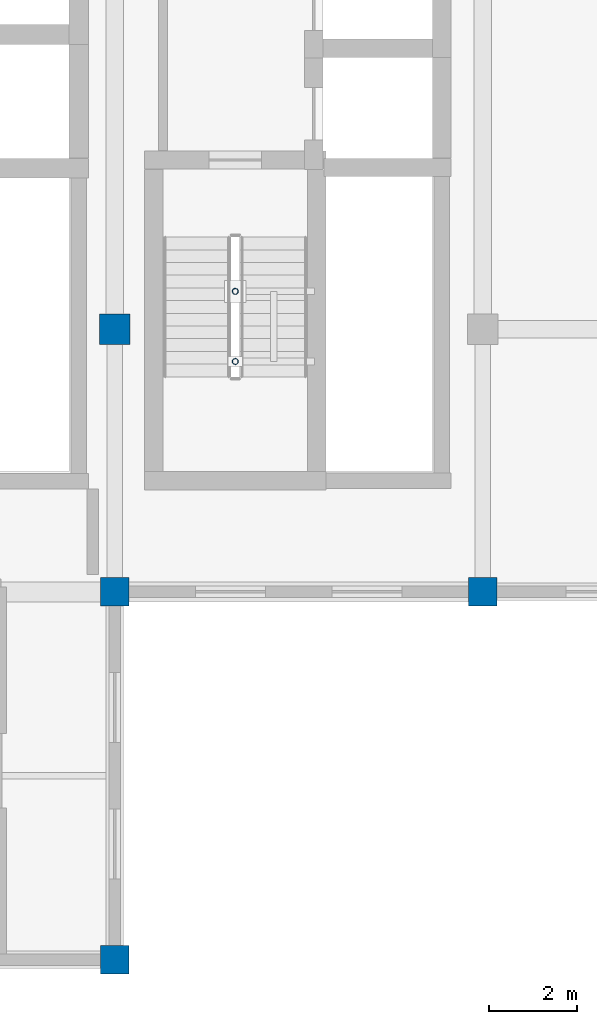
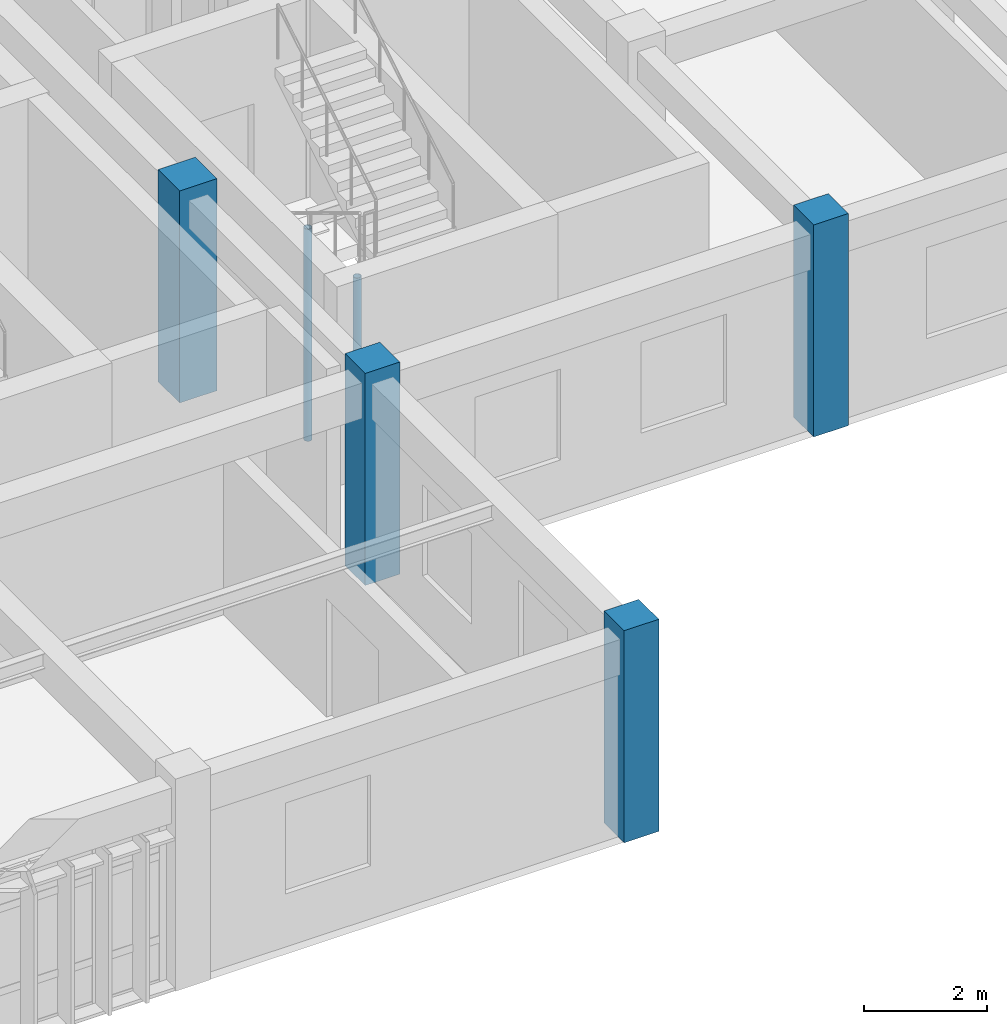
# One storey, part 2 of 23: 6 columns.
"""IFC4 building model written with IfcOpenShell, lengths in metres."""

from ifc_helpers import new_model, si_unit, direction, frame, origin, origin_2d, place, context, subcontext, project, spatial, rectangle, hollow_circle, extrude, material, material_profile, profile_set, type_object, element, save


model = new_model("IFC4")

# Units and contexts
model_context = context("Model", 3, precision=1e-05, world=origin(), true_north=direction((0.0, 1.0)))
body_context = subcontext(model_context, "Body", "Model", "MODEL_VIEW")
ifc_project = project(units=[si_unit("LENGTHUNIT", "METRE"), si_unit("AREAUNIT", "SQUARE_METRE"), si_unit("VOLUMEUNIT", "CUBIC_METRE"), si_unit("PLANEANGLEUNIT", "RADIAN"), si_unit("MASSUNIT", "GRAM", prefix="KILO")], contexts=[model_context])

# Site, building, storey
site_placement = place(None, origin())
site = spatial("IfcSite", under=ifc_project, at=site_placement, CompositionType="ELEMENT")
building_placement = place(site_placement, origin())
building = spatial("IfcBuilding", under=site, at=building_placement, Name="Krzemoval Escarpment Law Courts", CompositionType="ELEMENT")
storey_placement = place(building_placement, frame((0.0, 0.0, 33.60009765625)))
storey = spatial("IfcBuildingStorey", under=building, at=storey_placement, Name="L07", CompositionType="ELEMENT", Elevation=33.60009765625)

# Columns
ifc_material_1 = material(Name="Concrete C40/50", Category="concrete")
ifc_material_profile_1 = material_profile(ifc_material_1, rectangle(XDim=0.64990234375, YDim=0.64990234375, at=origin_2d()), Name="RC 650x650")
ifc_profile_set_1 = profile_set([ifc_material_profile_1], Name="Concrete C40/50")
column_type_1 = type_object("IfcColumnType", Name="COL-RC-650", PredefinedType="COLUMN", material=ifc_profile_set_1)
for number, where, z_axis, x_axis, name in (
    (1, (142.800048828125, 85.199951171875, 0.0), (0.0, 0.0, 1.0), (1.0, 0.0, 0.0), "Column FC-L07-1341"),
    (2, (142.800048828125, 93.60009765625, 0.0), (0.0, 0.0, 1.0), (1.0, 0.0, 0.0), "Column FC-L07-1342"),
    (3, (151.199951171875, 93.60009765625, 0.0), (0.0, 0.0, 1.0), (1.0, 0.0, 0.0), "Column FC-L07-1347"),
):
    element("IfcColumn", number, at=place(storey_placement, frame(where, z_axis=z_axis, x_axis=x_axis)), inside=storey, type_object=column_type_1, Name=name, PredefinedType="COLUMN", context=body_context, shape_type="SweptSolid", body=[
        extrude(rectangle(XDim=0.64990234375, YDim=0.64990234375, at=origin_2d()), origin(), (0.0, 0.0, 1.0), 4.199951171875),
    ])
ifc_material_2 = material(Name="Concrete C40/50", Category="concrete")
ifc_material_profile_2 = material_profile(ifc_material_2, rectangle(XDim=0.699951171875, YDim=0.699951171875, at=origin_2d()), Name="RC 700x700")
ifc_profile_set_2 = profile_set([ifc_material_profile_2], Name="Concrete C40/50")
column_type_2 = type_object("IfcColumnType", Name="COL-RC-700", PredefinedType="COLUMN", material=ifc_profile_set_2)
column_placement = place(storey_placement, frame((142.800048828125, 99.60009765625, 0.0), z_axis=(0.0, 0.0, 1.0), x_axis=(1.0, 0.0, 0.0)))
element("IfcColumn", 4, at=column_placement, inside=storey, type_object=column_type_2, Name="Column FC-L07-1343", PredefinedType="COLUMN", context=body_context, shape_type="SweptSolid", body=[
    extrude(rectangle(XDim=0.699951171875, YDim=0.699951171875, at=origin_2d()), origin(), (0.0, 0.0, 1.0), 4.199951171875),
])
ifc_material_3 = material(Name="Steel S355", Category="steel")
ifc_material_profile_3 = material_profile(ifc_material_3, hollow_circle(Radius=0.06982421875, WallThickness=0.008056640625, at=origin_2d()), Name="CHS 139.7x8")
ifc_profile_set_3 = profile_set([ifc_material_profile_3], Name="Steel S355")
column_type_3 = type_object("IfcColumnType", Name="COL-S355-CHS140", PredefinedType="COLUMN", material=ifc_profile_set_3)
for number, where, z_axis, x_axis, name in (
    (5, (145.550048828125, 98.860107421875, -2.530029296875), (0.0, 0.0, 1.0), (1.0, 0.0, 0.0), "Stair Well Post SCP-C3-L07-1"),
    (6, (145.550048828125, 100.4599609375, -2.530029296875), (0.0, 0.0, 1.0), (1.0, 0.0, 0.0), "Stair Well Post SCP-C3-L07-2"),
):
    element("IfcColumn", number, at=place(storey_placement, frame(where, z_axis=z_axis, x_axis=x_axis)), inside=storey, type_object=column_type_3, Name=name, PredefinedType="COLUMN", context=body_context, shape_type="SweptSolid", body=[
        extrude(hollow_circle(Radius=0.06982421875, WallThickness=0.008056640625, at=origin_2d()), origin(), (0.0, 0.0, 1.0), 4.199951171875),
    ])

save(model, "model.ifc")
